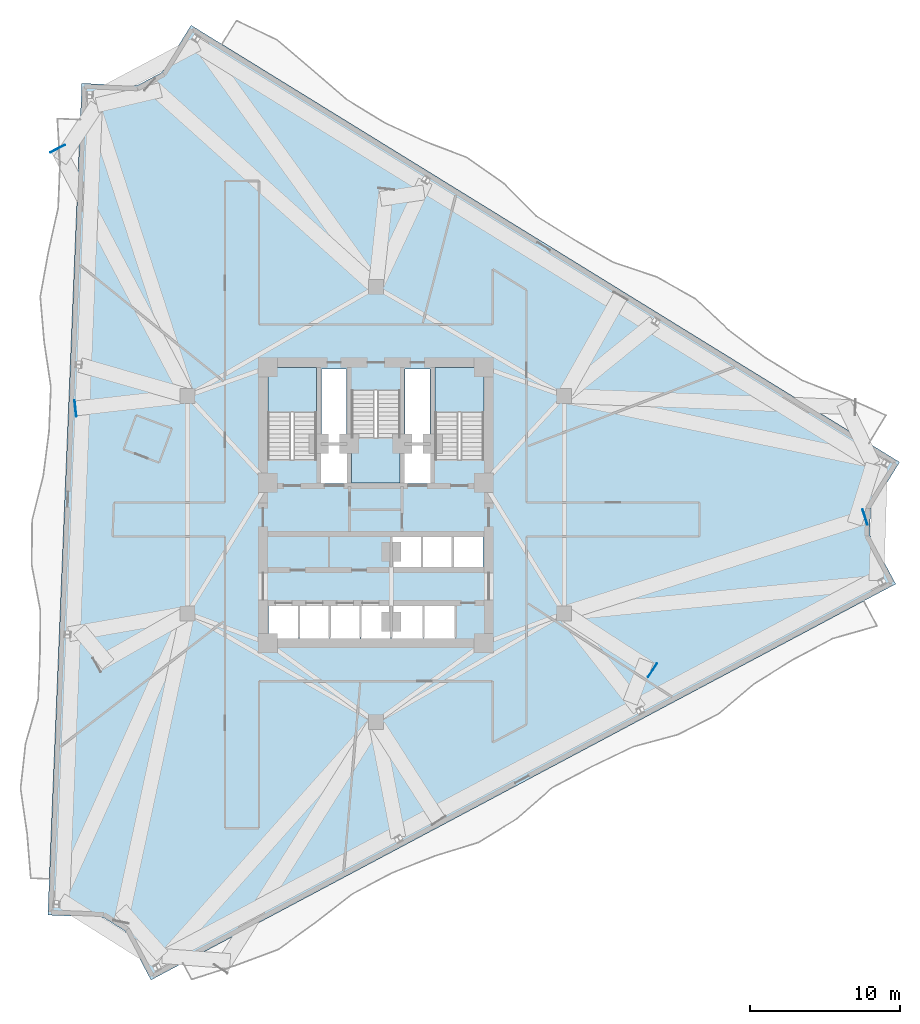
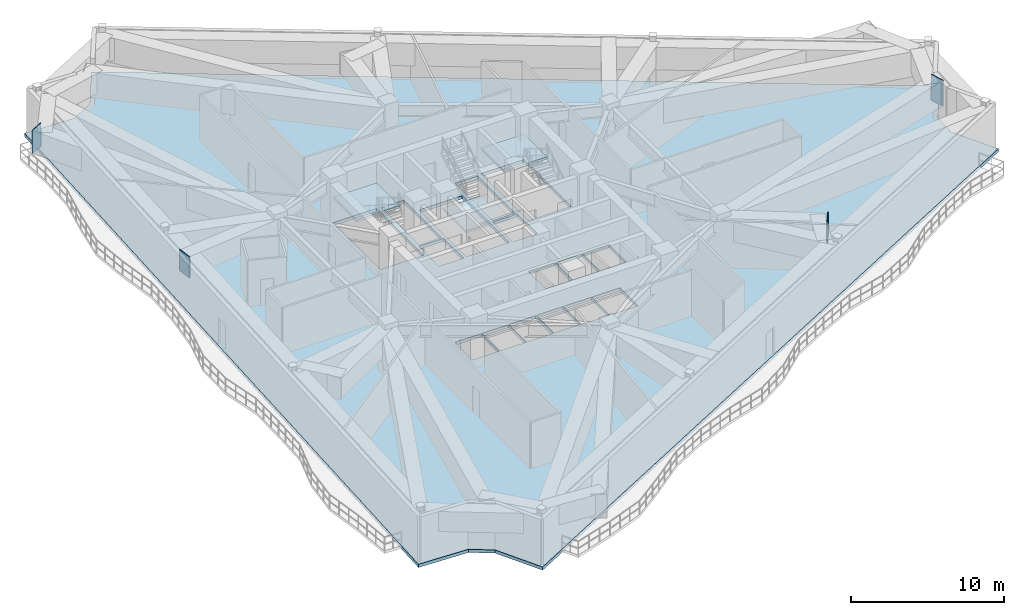
# One storey, part 5 of 14: 4 plates, 4 slabs, 3 elements without a shape of their own.
"""IFC4 building model written with IfcOpenShell, lengths in metres."""

from ifc_helpers import new_model, si_unit, direction, frame, origin, origin_2d, place, context, subcontext, project, spatial, polyline, rectangle, outline, extrude, material, layer, layer_set, type_object, element, aggregate, save


model = new_model("IFC4")

# Units and contexts
model_context = context("Model", 3, precision=1e-05, world=origin(), true_north=direction((0.0, 1.0)))
body_context = subcontext(model_context, "Body", "Model", "MODEL_VIEW")
ifc_project = project(units=[si_unit("LENGTHUNIT", "METRE"), si_unit("AREAUNIT", "SQUARE_METRE"), si_unit("VOLUMEUNIT", "CUBIC_METRE"), si_unit("PLANEANGLEUNIT", "RADIAN"), si_unit("MASSUNIT", "GRAM", prefix="KILO")], contexts=[model_context])

# Site, building, storey
site_placement = place(None, origin())
site = spatial("IfcSite", under=ifc_project, at=site_placement, CompositionType="ELEMENT")
building_placement = place(site_placement, origin())
building = spatial("IfcBuilding", under=site, at=building_placement, Name="Apsidion Concourse Tower", CompositionType="ELEMENT")
storey_placement = place(building_placement, frame((0.0, 0.0, 190.10009765625)))
storey = spatial("IfcBuildingStorey", under=building, at=storey_placement, Name="L44", CompositionType="ELEMENT", Elevation=190.10009765625)

# Plates
ifc_material_1 = material(Name="Structural steel ASTM A572 Grade 50", Category="steel")
ifc_layer_1 = layer(ifc_material_1, 0.034912109375)
ifc_layer_set_1 = layer_set([ifc_layer_1], Name="Structural steel ASTM A572 Grade 50")
plate_type = type_object("IfcPlateType", Name="PL-ENDCAP-35", PredefinedType="USERDEFINED", material=ifc_layer_set_1)
plate_1_placement = place(storey_placement, frame((-21.208740234375, 23.73876953125, 1.85986328125), z_axis=(0.0, 0.0, 1.0), x_axis=(-0.464532956732, 0.885555832294, 0.0)))
element("IfcPlate", 1, at=plate_1_placement, inside=storey, type_object=plate_type, Name="L44 Radial Transfer Girder End-Cap Plate NTRCAP-01", ObjectType="FLANGE_PLATE", PredefinedType="USERDEFINED", context=body_context, shape_type="SweptSolid", body=[
    extrude(rectangle(XDim=0.044921875, YDim=1.080078125, at=origin_2d()), origin(), (0.0, 0.0, 1.0), 1.8798828125),
])
for number, where, z_axis, x_axis, name in (
    (2, (-20.029296875, 6.409912109375, 2.06005859375), (0.0, 0.0, 1.0), (-0.99372894862, -0.111815815852, 0.0), "L44 Radial Transfer Girder End-Cap Plate NTRCAP-02"),
    (3, (18.44580078125, -11.0537109375, 2.06005859375), (0.0, 0.0, 1.0), (0.839904154905, -0.542734751581, 0.0), "L44 Radial Transfer Girder End-Cap Plate NTRCAP-07"),
):
    element("IfcPlate", number, at=place(storey_placement, frame(where, z_axis=z_axis, x_axis=x_axis)), inside=storey, type_object=plate_type, Name=name, ObjectType="FLANGE_PLATE", PredefinedType="USERDEFINED", context=body_context, shape_type="SweptSolid", body=[
        extrude(rectangle(XDim=0.044921875, YDim=1.080078125, at=origin_2d()), origin(), (0.0, 0.0, 1.0), 1.679931640625),
    ])
plate_2_placement = place(storey_placement, frame((32.62744140625, -0.8408203125, 1.659912109375), z_axis=(0.0, 0.0, 1.0), x_axis=(0.952608402965, 0.304199327089, 0.0)))
element("IfcPlate", 4, at=plate_2_placement, inside=storey, type_object=plate_type, Name="L44 Radial Transfer Girder End-Cap Plate NTRCAP-08", ObjectType="FLANGE_PLATE", PredefinedType="USERDEFINED", context=body_context, shape_type="SweptSolid", body=[
    extrude(rectangle(XDim=0.044921875, YDim=1.080078125, at=origin_2d()), origin(), (0.0, 0.0, 1.0), 2.080078125),
])

# Slab
ifc_material_2 = material(Name="Concrete C50/60", Category="concrete")
ifc_layer_2 = layer(ifc_material_2, 0.25)
ifc_layer_set_2 = layer_set([ifc_layer_2], Name="Concrete C50/60")
slab_type_1 = type_object("IfcSlabType", Name="SL-FLR-250", PredefinedType="FLOOR", material=ifc_layer_set_2)
slab_1_placement = place(storey_placement, frame((0.0, 0.0, -0.25)))
element("IfcSlab", 5, at=slab_1_placement, inside=storey, type_object=slab_type_1, Name="L44 Structural Floor Slab", PredefinedType="FLOOR", context=body_context, shape_type="SweptSolid", body=[
    extrude(outline(polyline([(-12.3203125, 31.964111328125), (-14.256103515625, 28.824951171875), (-15.925048828125, 27.937744140625), (-19.610107421875, 28.088134765625), (-21.87548828125, -27.376220703125), (-18.1904296875, -27.526611328125), (-16.724609375, -28.448486328125), (-14.9931640625, -31.705078125), (34.668701171875, -5.29931640625), (32.937255859375, -2.04296875), (32.992431640625, -0.31201171875), (34.92822265625, 2.826904296875), (-12.3203125, 31.964111328125)]), holes=[polyline([(-3.949951171875, 3.0), (-3.949951171875, 9.14990234375), (-7.199951171875, 9.14990234375), (-7.199951171875, 3.0), (-3.949951171875, 3.0)]), polyline([(7.199951171875, 3.0), (7.199951171875, 9.14990234375), (3.949951171875, 9.14990234375), (3.949951171875, 3.0), (7.199951171875, 3.0)]), polyline([(-1.625, 7.60009765625), (-1.625, 1.449951171875), (1.625, 1.449951171875), (1.625, 7.60009765625), (-1.625, 7.60009765625)]), polyline([(1.054931640625, -4.300048828125), (3.044921875, -4.300048828125), (3.044921875, -2.050048828125), (1.054931640625, -2.050048828125), (1.054931640625, -4.300048828125)]), polyline([(3.10498046875, -4.300048828125), (5.094970703125, -4.300048828125), (5.094970703125, -2.050048828125), (3.10498046875, -2.050048828125), (3.10498046875, -4.300048828125)]), polyline([(5.155029296875, -4.300048828125), (7.14501953125, -4.300048828125), (7.14501953125, -2.050048828125), (5.155029296875, -2.050048828125), (5.155029296875, -4.300048828125)]), polyline([(-7.14501953125, -8.949951171875), (-5.155029296875, -8.949951171875), (-5.155029296875, -6.64990234375), (-7.14501953125, -6.64990234375), (-7.14501953125, -8.949951171875)]), polyline([(-5.094970703125, -8.949951171875), (-3.10498046875, -8.949951171875), (-3.10498046875, -6.64990234375), (-5.094970703125, -6.64990234375), (-5.094970703125, -8.949951171875)]), polyline([(-3.044921875, -8.949951171875), (-1.054931640625, -8.949951171875), (-1.054931640625, -6.64990234375), (-3.044921875, -6.64990234375), (-3.044921875, -8.949951171875)]), polyline([(-0.9951171875, -8.949951171875), (0.9951171875, -8.949951171875), (0.9951171875, -6.64990234375), (-0.9951171875, -6.64990234375), (-0.9951171875, -8.949951171875)]), polyline([(1.044921875, -9.0), (3.155029296875, -9.0), (3.155029296875, -6.64990234375), (1.044921875, -6.64990234375), (1.044921875, -9.0)]), polyline([(3.195068359375, -9.0), (5.304931640625, -9.0), (5.304931640625, -6.64990234375), (3.195068359375, -6.64990234375), (3.195068359375, -9.0)]), polyline([(-3.7099609375, 1.39990234375), (-1.85009765625, 1.39990234375), (-1.85009765625, 4.0), (-3.7099609375, 4.0), (-3.7099609375, 1.39990234375)]), polyline([(1.85009765625, 1.39990234375), (3.7099609375, 1.39990234375), (3.7099609375, 4.0), (1.85009765625, 4.0), (1.85009765625, 1.39990234375)]), polyline([(-3.6201171875, 4.14990234375), (-1.93994140625, 4.14990234375), (-1.93994140625, 9.050048828125), (-3.6201171875, 9.050048828125), (-3.6201171875, 4.14990234375)]), polyline([(1.93994140625, 4.14990234375), (3.6201171875, 4.14990234375), (3.6201171875, 9.050048828125), (1.93994140625, 9.050048828125), (1.93994140625, 4.14990234375)])]), origin(), (0.0, 0.0, 1.0), 0.25),
])

# Stair, slab
ifc_material_3 = material(Name="Precast concrete C40/50", Category="concrete")
stair_type = type_object("IfcStairType", Name="ST-DL-1550", PredefinedType="HALF_TURN_STAIR", material=ifc_material_3)
stair_1_placement = place(storey_placement, origin())
stair_1 = element("IfcStair", 6, at=stair_1_placement, inside=storey, type_object=stair_type, Name="L44 Protected Core Exit Stair ST1", PredefinedType="HALF_TURN_STAIR")
ifc_layer_3 = layer(ifc_material_2, 0.199951171875)
ifc_layer_set_3 = layer_set([ifc_layer_3], Name="Concrete C50/60")
slab_type_2 = type_object("IfcSlabType", Name="SL-ST-LAND-200", PredefinedType="LANDING", material=ifc_layer_set_3)
slab_2_placement = place(storey_placement, frame((0.0, 0.0, 1.849853515625)))
slab_2 = element("IfcSlab", 7, at=slab_2_placement, type_object=slab_type_2, Name="ST1 landing 1", PredefinedType="LANDING", context=body_context, shape_type="SweptSolid", body=[
    extrude(outline(polyline([(-3.949951171875, 6.135009765625), (-3.949951171875, 9.14990234375), (-7.199951171875, 9.14990234375), (-7.199951171875, 6.135009765625), (-3.949951171875, 6.135009765625)])), origin(), (0.0, 0.0, 1.0), 0.199951171875),
])
aggregate(stair_1, [slab_2])

stair_2_placement = place(storey_placement, origin())
stair_2 = element("IfcStair", 8, at=stair_2_placement, inside=storey, type_object=stair_type, Name="L44 Protected Core Exit Stair ST2", PredefinedType="HALF_TURN_STAIR")
slab_3_placement = place(storey_placement, frame((0.0, 0.0, 1.849853515625)))
slab_3 = element("IfcSlab", 9, at=slab_3_placement, type_object=slab_type_2, Name="ST2 landing 1", PredefinedType="LANDING", context=body_context, shape_type="SweptSolid", body=[
    extrude(outline(polyline([(7.199951171875, 6.135009765625), (7.199951171875, 9.14990234375), (3.949951171875, 9.14990234375), (3.949951171875, 6.135009765625), (7.199951171875, 6.135009765625)])), origin(), (0.0, 0.0, 1.0), 0.199951171875),
])
aggregate(stair_2, [slab_3])

stair_3_placement = place(storey_placement, origin())
stair_3 = element("IfcStair", 10, at=stair_3_placement, inside=storey, type_object=stair_type, Name="L44 Protected Core Exit Stair ST3", PredefinedType="HALF_TURN_STAIR")
slab_4_placement = place(storey_placement, frame((0.0, 0.0, 1.849853515625)))
slab_4 = element("IfcSlab", 11, at=slab_4_placement, type_object=slab_type_2, Name="ST3 landing 1", PredefinedType="LANDING", context=body_context, shape_type="SweptSolid", body=[
    extrude(outline(polyline([(-1.625, 4.465087890625), (-1.625, 1.449951171875), (1.625, 1.449951171875), (1.625, 4.465087890625), (-1.625, 4.465087890625)])), origin(), (0.0, 0.0, 1.0), 0.199951171875),
])
aggregate(stair_3, [slab_4])

save(model, "model.ifc")
